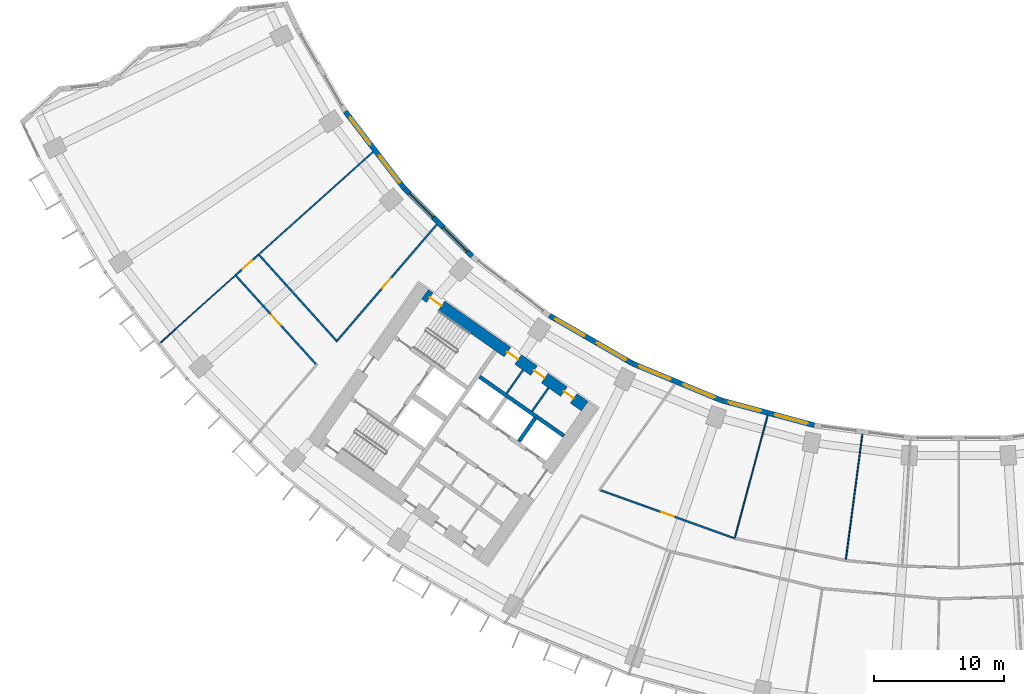
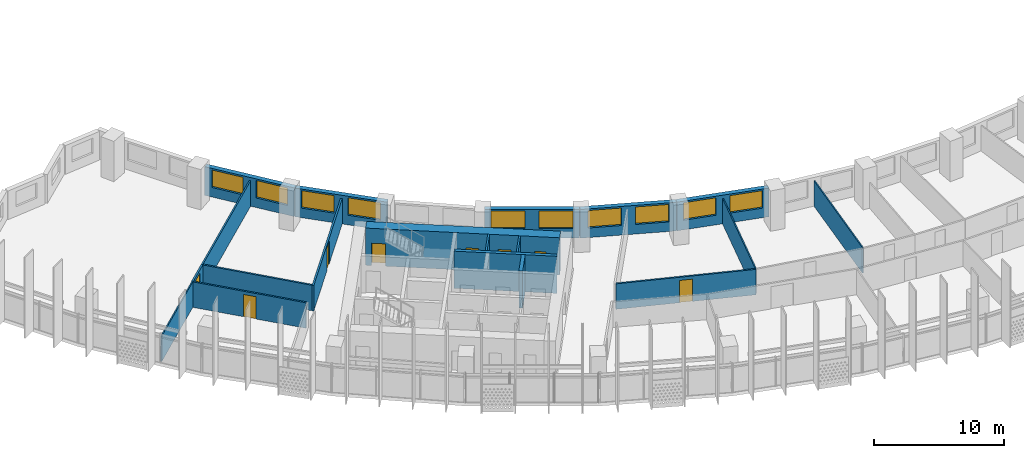
# One storey, part 4 of 30: 19 walls, 10 windows, 8 doors, 18 openings.
"""IFC4 building model written with IfcOpenShell, lengths in metres."""

from ifc_helpers import new_model, si_unit, direction, frame, frame_2d, origin, place, context, subcontext, project, spatial, rectangle, extrude, material, layer, layer_set, type_object, element, fill, save


model = new_model("IFC4")

# Units and contexts
model_context = context("Model", 3, precision=1e-05, world=origin(), true_north=direction((0.0, 1.0)))
body_context = subcontext(model_context, "Body", "Model", "MODEL_VIEW")
ifc_project = project(units=[si_unit("LENGTHUNIT", "METRE"), si_unit("AREAUNIT", "SQUARE_METRE"), si_unit("VOLUMEUNIT", "CUBIC_METRE"), si_unit("PLANEANGLEUNIT", "RADIAN"), si_unit("MASSUNIT", "GRAM", prefix="KILO")], contexts=[model_context])

# Site, building, storey
site_placement = place(None, origin())
site = spatial("IfcSite", under=ifc_project, at=site_placement, CompositionType="ELEMENT")
building_placement = place(site_placement, origin())
building = spatial("IfcBuilding", under=site, at=building_placement, Name="Qamariyya Broadcast Tower", CompositionType="ELEMENT")
storey_placement = place(building_placement, frame((0.0, 0.0, 125.300048828125)))
storey = spatial("IfcBuildingStorey", under=building, at=storey_placement, Name="L28", CompositionType="ELEMENT", Elevation=125.300048828125)

# Wall, openings, doors
ifc_material_1 = material(Name="Concrete C70/85", Category="concrete")
ifc_layer_1 = layer(ifc_material_1, 0.89990234375)
ifc_layer_set_1 = layer_set([ifc_layer_1], Name="Core wall 900 mm Concrete C70/85")
wall_type_1 = type_object("IfcWallType", Name="Core wall 900 mm Concrete C70/85", PredefinedType="SHEAR", material=ifc_layer_set_1)
wall_1_placement = place(storey_placement, frame((-28.8544921875, -54.32421875, 0.0), z_axis=(0.0, 0.0, 1.0), x_axis=(-0.819145767589, 0.573585400304, 0.0)))
wall_1 = element("IfcWall", 1, at=wall_1_placement, inside=storey, type_object=wall_type_1, Name="k-W-L28-WI", PredefinedType="SHEAR", context=body_context, shape_type="SweptSolid", body=[
    extrude(rectangle(XDim=15.04541015625, YDim=0.89990234375, at=frame_2d((7.522705078125, 0.0))), origin(), (0.0, 0.0, 1.0), 3.5),
])
opening_1_placement = place(wall_1_placement, frame((1.050048828125, 0.0, 0.0)))
opening_1 = element("IfcOpeningElement", 2, at=opening_1_placement, cuts=wall_1, Name="Opening KD5-W1", PredefinedType="OPENING", context=body_context, shape_type="SweptSolid", body=[
    extrude(rectangle(XDim=0.89990234375, YDim=2.10009765625, at=frame_2d((0.449951171875, 1.050048828125))), frame((0.0, 0.4599609375, 0.0), z_axis=(0.0, -1.0, 0.0), x_axis=(1.0, 0.0, 0.0)), (0.0, 0.0, 1.0), 0.919921875),
])
opening_2_placement = place(wall_1_placement, frame((3.77490234375, 0.0, 0.0)))
opening_2 = element("IfcOpeningElement", 3, at=opening_2_placement, cuts=wall_1, Name="Opening KD7-W1", PredefinedType="OPENING", context=body_context, shape_type="SweptSolid", body=[
    extrude(rectangle(XDim=1.0, YDim=2.10009765625, at=frame_2d((0.5, 1.050048828125))), frame((0.0, 0.4599609375, 0.0), z_axis=(0.0, -1.0, 0.0), x_axis=(1.0, 0.0, 0.0)), (0.0, 0.0, 1.0), 0.919921875),
])
opening_3_placement = place(wall_1_placement, frame((6.27490234375, 0.0, 0.0)))
opening_3 = element("IfcOpeningElement", 4, at=opening_3_placement, cuts=wall_1, Name="Opening KD6-W4", PredefinedType="OPENING", context=body_context, shape_type="SweptSolid", body=[
    extrude(rectangle(XDim=1.0, YDim=2.10009765625, at=frame_2d((0.5, 1.050048828125))), frame((0.0, 0.4599609375, 0.0), z_axis=(0.0, -1.0, 0.0), x_axis=(1.0, 0.0, 0.0)), (0.0, 0.0, 1.0), 0.919921875),
])
opening_4_placement = place(wall_1_placement, frame((13.495361328125, 0.0, 0.0)))
opening_4 = element("IfcOpeningElement", 5, at=opening_4_placement, cuts=wall_1, Name="Opening KD1-W1", PredefinedType="OPENING", context=body_context, shape_type="SweptSolid", body=[
    extrude(rectangle(XDim=1.10009765625, YDim=2.10009765625, at=frame_2d((0.550048828125, 1.050048828125))), frame((0.0, 0.4599609375, 0.0), z_axis=(0.0, -1.0, 0.0), x_axis=(1.0, 0.0, 0.0)), (0.0, 0.0, 1.0), 0.919921875),
])
ifc_material_2 = material(Name="Steel fire-resisting door leaf", Category="steel")
door_type_1 = type_object("IfcDoorType", Name="Accessible toilet door KD7", OperationType="SINGLE_SWING_LEFT", PredefinedType="DOOR", material=ifc_material_2)
door_1_placement = place(opening_2_placement, origin())
door_1 = element("IfcDoor", 6, at=door_1_placement, inside=storey, type_object=door_type_1, Name="k-W-L28-WI-D9", OperationType="SINGLE_SWING_RIGHT", OverallHeight=2.10009765625, OverallWidth=1.0, PredefinedType="DOOR", context=body_context, shape_type="SweptSolid", body=[
    extrude(rectangle(XDim=1.0, YDim=2.10009765625, at=frame_2d((0.5, 1.050048828125))), frame((0.0, 0.02490234375, 0.0), z_axis=(0.0, -1.0, 0.0), x_axis=(1.0, 0.0, 0.0)), (0.0, 0.0, 1.0), 0.050048828125),
])
fill(opening_2, door_1)
door_type_2 = type_object("IfcDoorType", Name="Core room door KD6", OperationType="SINGLE_SWING_LEFT", PredefinedType="DOOR", material=ifc_material_2)
door_2_placement = place(opening_3_placement, origin())
door_2 = element("IfcDoor", 7, at=door_2_placement, inside=storey, type_object=door_type_2, Name="k-W-L28-WI-D10", OperationType="SINGLE_SWING_LEFT", OverallHeight=2.10009765625, OverallWidth=1.0, PredefinedType="DOOR", context=body_context, shape_type="SweptSolid", body=[
    extrude(rectangle(XDim=1.0, YDim=2.10009765625, at=frame_2d((0.5, 1.050048828125))), frame((0.0, 0.02490234375, 0.0), z_axis=(0.0, -1.0, 0.0), x_axis=(1.0, 0.0, 0.0)), (0.0, 0.0, 1.0), 0.050048828125),
])
fill(opening_3, door_2)
door_type_3 = type_object("IfcDoorType", Name="Stair door KD1", OperationType="SINGLE_SWING_LEFT", PredefinedType="DOOR", material=ifc_material_2)
door_3_placement = place(opening_4_placement, origin())
door_3 = element("IfcDoor", 8, at=door_3_placement, inside=storey, type_object=door_type_3, Name="k-W-L28-WI-D17", OperationType="SINGLE_SWING_RIGHT", OverallHeight=2.10009765625, OverallWidth=1.10009765625, PredefinedType="DOOR", context=body_context, shape_type="SweptSolid", body=[
    extrude(rectangle(XDim=1.10009765625, YDim=2.10009765625, at=frame_2d((0.550048828125, 1.050048828125))), frame((0.0, 0.02490234375, 0.0), z_axis=(0.0, -1.0, 0.0), x_axis=(1.0, 0.0, 0.0)), (0.0, 0.0, 1.0), 0.050048828125),
])
fill(opening_4, door_3)
door_type_4 = type_object("IfcDoorType", Name="Toilet door KD5", OperationType="SINGLE_SWING_LEFT", PredefinedType="DOOR", material=ifc_material_2)
door_4_placement = place(opening_1_placement, origin())
door_4 = element("IfcDoor", 9, at=door_4_placement, inside=storey, type_object=door_type_4, Name="k-W-L28-WI-D8", OperationType="SINGLE_SWING_LEFT", OverallHeight=2.10009765625, OverallWidth=0.89990234375, PredefinedType="DOOR", context=body_context, shape_type="SweptSolid", body=[
    extrude(rectangle(XDim=0.89990234375, YDim=2.10009765625, at=frame_2d((0.449951171875, 1.050048828125))), frame((0.0, 0.02490234375, 0.0), z_axis=(0.0, -1.0, 0.0), x_axis=(1.0, 0.0, 0.0)), (0.0, 0.0, 1.0), 0.050048828125),
])
fill(opening_1, door_4)

# Wall, opening, door
ifc_material_3 = material(Name="Gypsum board partition")
ifc_layer_2 = layer(ifc_material_3, 0.14990234375)
ifc_layer_set_2 = layer_set([ifc_layer_2], Name="Corridor partition 150 EI 60")
wall_type_2 = type_object("IfcWallType", Name="Corridor partition 150 EI 60", PredefinedType="PARTITIONING", material=ifc_layer_set_2)
wall_2_placement = place(storey_placement, frame((-55.7978515625, -44.22705078125, 0.0), z_axis=(0.0, 0.0, 1.0), x_axis=(0.744539856865, 0.667578011576, 0.0)))
wall_2 = element("IfcWall", 10, at=wall_2_placement, inside=storey, type_object=wall_type_2, Name="Partition L28-002", PredefinedType="PARTITIONING", context=body_context, shape_type="SweptSolid", body=[
    extrude(rectangle(XDim=2.404541015625, YDim=0.14990234375, at=frame_2d((1.2021484375, 0.0))), origin(), (0.0, 0.0, 1.0), 2.39990234375),
])
opening_5_placement = place(wall_2_placement, frame((0.702392578125, 0.0, 0.0)))
opening_5 = element("IfcOpeningElement", 11, at=opening_5_placement, cuts=wall_2, Name="Opening L28-D17", PredefinedType="OPENING", context=body_context, shape_type="SweptSolid", body=[
    extrude(rectangle(XDim=1.0, YDim=2.10009765625, at=frame_2d((0.5, 1.050048828125))), frame((0.0, 0.0849609375, 0.0), z_axis=(0.0, -1.0, 0.0), x_axis=(1.0, 0.0, 0.0)), (0.0, 0.0, 1.0), 0.169921875),
])
ifc_material_4 = material(Name="Timber fire door leaf", Category="wood")
door_type_5 = type_object("IfcDoorType", Name="Fire door 1000 x 2100 FD60", OperationType="NOTDEFINED", PredefinedType="DOOR", material=ifc_material_4)
door_5_placement = place(opening_5_placement, origin())
door_5 = element("IfcDoor", 12, at=door_5_placement, inside=storey, type_object=door_type_5, Name="Door L28-D17", OperationType="SINGLE_SWING_RIGHT", OverallHeight=2.10009765625, OverallWidth=1.0, PredefinedType="DOOR", context=body_context, shape_type="SweptSolid", body=[
    extrude(rectangle(XDim=1.0, YDim=2.10009765625, at=frame_2d((0.5, 1.050048828125))), frame((0.0, 0.02490234375, 0.0), z_axis=(0.0, -1.0, 0.0), x_axis=(1.0, 0.0, 0.0)), (0.0, 0.0, 1.0), 0.050048828125),
])
fill(opening_5, door_5)

wall_3_placement = place(storey_placement, frame((-49.597900390625, -51.076171875, 0.0), z_axis=(0.0, 0.0, 1.0), x_axis=(-0.671105149511, 0.741362177549, 0.0)))
wall_3 = element("IfcWall", 13, at=wall_3_placement, inside=storey, type_object=wall_type_2, Name="Partition L28-004", PredefinedType="PARTITIONING", context=body_context, shape_type="SweptSolid", body=[
    extrude(rectangle(XDim=9.16357421875, YDim=0.14990234375, at=frame_2d((4.581787109375, 0.0))), origin(), (0.0, 0.0, 1.0), 2.39990234375),
])
opening_6_placement = place(wall_3_placement, frame((4.081787109375, 0.0, 0.0)))
opening_6 = element("IfcOpeningElement", 14, at=opening_6_placement, cuts=wall_3, Name="Opening L28-D16", PredefinedType="OPENING", context=body_context, shape_type="SweptSolid", body=[
    extrude(rectangle(XDim=1.0, YDim=2.10009765625, at=frame_2d((0.5, 1.050048828125))), frame((0.0, 0.0849609375, 0.0), z_axis=(0.0, -1.0, 0.0), x_axis=(1.0, 0.0, 0.0)), (0.0, 0.0, 1.0), 0.169921875),
])
door_6_placement = place(opening_6_placement, origin())
door_6 = element("IfcDoor", 15, at=door_6_placement, inside=storey, type_object=door_type_5, Name="Door L28-D16", OperationType="SINGLE_SWING_RIGHT", OverallHeight=2.10009765625, OverallWidth=1.0, PredefinedType="DOOR", context=body_context, shape_type="SweptSolid", body=[
    extrude(rectangle(XDim=1.0, YDim=2.10009765625, at=frame_2d((0.5, 1.050048828125))), frame((0.0, 0.02490234375, 0.0), z_axis=(0.0, -1.0, 0.0), x_axis=(1.0, 0.0, 0.0)), (0.0, 0.0, 1.0), 0.050048828125),
])
fill(opening_6, door_6)

# Wall
wall_4_placement = place(storey_placement, frame((-48.032470703125, -49.2509765625, 0.0), z_axis=(0.0, 0.0, 1.0), x_axis=(-0.669505645027, 0.742806967709, 0.0)))
element("IfcWall", 16, at=wall_4_placement, inside=storey, type_object=wall_type_2, Name="Partition L28-006", PredefinedType="PARTITIONING", context=body_context, shape_type="SweptSolid", body=[
    extrude(rectangle(XDim=8.849609375, YDim=0.14990234375, at=frame_2d((4.4248046875, 0.0))), origin(), (0.0, 0.0, 1.0), 2.39990234375),
])

# Wall, opening, door
wall_5_placement = place(storey_placement, frame((-48.031005859375, -49.363525390625, 0.0), z_axis=(0.0, 0.0, 1.0), x_axis=(0.650981860867, 0.759093285982, 0.0)))
wall_5 = element("IfcWall", 17, at=wall_5_placement, inside=storey, type_object=wall_type_2, Name="Partition L28-007", PredefinedType="PARTITIONING", context=body_context, shape_type="SweptSolid", body=[
    extrude(rectangle(XDim=11.92578125, YDim=0.14990234375, at=frame_2d((5.962890625, 0.0))), origin(), (0.0, 0.0, 1.0), 2.39990234375),
])
opening_7_placement = place(wall_5_placement, frame((5.462890625, 0.0, 0.0)))
opening_7 = element("IfcOpeningElement", 18, at=opening_7_placement, cuts=wall_5, Name="Opening L28-D15", PredefinedType="OPENING", context=body_context, shape_type="SweptSolid", body=[
    extrude(rectangle(XDim=1.0, YDim=2.10009765625, at=frame_2d((0.5, 1.050048828125))), frame((0.0, 0.0849609375, 0.0), z_axis=(0.0, -1.0, 0.0), x_axis=(1.0, 0.0, 0.0)), (0.0, 0.0, 1.0), 0.169921875),
])
door_7_placement = place(opening_7_placement, origin())
door_7 = element("IfcDoor", 19, at=door_7_placement, inside=storey, type_object=door_type_5, Name="Door L28-D15", OperationType="SINGLE_SWING_RIGHT", OverallHeight=2.10009765625, OverallWidth=1.0, PredefinedType="DOOR", context=body_context, shape_type="SweptSolid", body=[
    extrude(rectangle(XDim=1.0, YDim=2.10009765625, at=frame_2d((0.5, 1.050048828125))), frame((0.0, 0.02490234375, 0.0), z_axis=(0.0, -1.0, 0.0), x_axis=(1.0, 0.0, 0.0)), (0.0, 0.0, 1.0), 0.050048828125),
])
fill(opening_7, door_7)

wall_6_placement = place(storey_placement, frame((-27.64013671875, -60.806640625, 0.0), z_axis=(0.0, 0.0, 1.0), x_axis=(0.941150861554, -0.337986768669, 0.0)))
wall_6 = element("IfcWall", 20, at=wall_6_placement, inside=storey, type_object=wall_type_2, Name="Partition L28-010", PredefinedType="PARTITIONING", context=body_context, shape_type="SweptSolid", body=[
    extrude(rectangle(XDim=10.998291015625, YDim=0.14990234375, at=frame_2d((5.4990234375, 0.0))), origin(), (0.0, 0.0, 1.0), 2.39990234375),
])
opening_8_placement = place(wall_6_placement, frame((4.9990234375, 0.0, 0.0)))
opening_8 = element("IfcOpeningElement", 21, at=opening_8_placement, cuts=wall_6, Name="Opening L28-D09", PredefinedType="OPENING", context=body_context, shape_type="SweptSolid", body=[
    extrude(rectangle(XDim=1.0, YDim=2.10009765625, at=frame_2d((0.5, 1.050048828125))), frame((0.0, 0.0849609375, 0.0), z_axis=(0.0, -1.0, 0.0), x_axis=(1.0, 0.0, 0.0)), (0.0, 0.0, 1.0), 0.169921875),
])
door_8_placement = place(opening_8_placement, origin())
door_8 = element("IfcDoor", 22, at=door_8_placement, inside=storey, type_object=door_type_5, Name="Door L28-D09", OperationType="SINGLE_SWING_RIGHT", OverallHeight=2.10009765625, OverallWidth=1.0, PredefinedType="DOOR", context=body_context, shape_type="SweptSolid", body=[
    extrude(rectangle(XDim=1.0, YDim=2.10009765625, at=frame_2d((0.5, 1.050048828125))), frame((0.0, 0.02490234375, 0.0), z_axis=(0.0, -1.0, 0.0), x_axis=(1.0, 0.0, 0.0)), (0.0, 0.0, 1.0), 0.050048828125),
])
fill(opening_8, door_8)

# Walls
ifc_material_5 = material(Name="Gypsum board partition on steel studs", Category="steel")
ifc_layer_3 = layer(ifc_material_5, 0.14990234375)
ifc_layer_set_3 = layer_set([ifc_layer_3], Name="Gypsum board partition 150 mm")
wall_type_3 = type_object("IfcWallType", Name="Gypsum board partition 150 mm", PredefinedType="PARTITIONING", material=ifc_layer_set_3)
wall_7_placement = place(storey_placement, frame((-32.9140625, -54.716796875, 0.0), z_axis=(0.0, 0.0, 1.0), x_axis=(0.573581496053, 0.819148501424, 0.0)))
element("IfcWall", 23, at=wall_7_placement, inside=storey, type_object=wall_type_3, Name="k-W-L28-NP310", PredefinedType="PARTITIONING", context=body_context, shape_type="SweptSolid", body=[
    extrude(rectangle(XDim=2.2001953125, YDim=0.14990234375, at=frame_2d((1.10009765625, 0.0))), origin(), (0.0, 0.0, 1.0), 3.5),
])
wall_8_placement = place(storey_placement, frame((-34.8798828125, -53.340087890625, 0.0), z_axis=(0.0, 0.0, 1.0), x_axis=(0.573559170999, 0.819164133348, 0.0)))
element("IfcWall", 24, at=wall_8_placement, inside=storey, type_object=wall_type_3, Name="k-W-L28-NP550", PredefinedType="PARTITIONING", context=body_context, shape_type="SweptSolid", body=[
    extrude(rectangle(XDim=2.19970703125, YDim=0.14990234375, at=frame_2d((1.099853515625, 0.0))), origin(), (0.0, 0.0, 1.0), 3.5),
])
ifc_material_6 = material(Name="Concrete C60/75", Category="concrete")
ifc_layer_4 = layer(ifc_material_6, 0.300048828125)
ifc_layer_set_4 = layer_set([ifc_layer_4], Name="Lift shaft wall 300 mm Concrete C60/75")
wall_type_4 = type_object("IfcWallType", Name="Lift shaft wall 300 mm Concrete C60/75", PredefinedType="SOLIDWALL", material=ifc_layer_set_4)
wall_9_placement = place(storey_placement, frame((-30.460693359375, -56.61767578125, 0.0), z_axis=(0.0, 0.0, 1.0), x_axis=(-0.819142461705, 0.573590121456, 0.0)))
element("IfcWall", 25, at=wall_9_placement, inside=storey, type_object=wall_type_4, Name="k-W-L28-NB0", PredefinedType="SOLIDWALL", context=body_context, shape_type="SweptSolid", body=[
    extrude(rectangle(XDim=7.949951171875, YDim=0.300048828125, at=frame_2d((3.97509765625, 0.0))), origin(), (0.0, 0.0, 1.0), 3.5),
])
wall_10_placement = place(storey_placement, frame((-33.9384765625, -57.051513671875, 0.0), z_axis=(0.0, 0.0, 1.0), x_axis=(0.573581496053, 0.819148501424, 0.0)))
element("IfcWall", 26, at=wall_10_placement, inside=storey, type_object=wall_type_4, Name="k-W-L28-ND0", PredefinedType="SOLIDWALL", context=body_context, shape_type="SweptSolid", body=[
    extrude(rectangle(XDim=2.2001953125, YDim=0.300048828125, at=frame_2d((1.10009765625, 0.0))), origin(), (0.0, 0.0, 1.0), 3.5),
])
ifc_material_7 = material(Name="Operable acoustic wall panels")
ifc_layer_5 = layer(ifc_material_7, 0.125)
ifc_layer_set_5 = layer_set([ifc_layer_5], Name="Operable acoustic partition 125")
wall_type_5 = type_object("IfcWallType", Name="Operable acoustic partition 125", PredefinedType="MOVABLE", material=ifc_layer_set_5)
wall_11_placement = place(storey_placement, frame((-54.007568359375, -42.621826171875, 0.0), z_axis=(0.0, 0.0, 1.0), x_axis=(0.744502704069, 0.667619445219, 0.0)))
element("IfcWall", 27, at=wall_11_placement, inside=storey, type_object=wall_type_5, Name="Operable partition L28-003", PredefinedType="MOVABLE", context=body_context, shape_type="SweptSolid", body=[
    extrude(rectangle(XDim=11.850830078125, YDim=0.125, at=frame_2d((5.92529296875, 0.0))), origin(), (0.0, 0.0, 1.0), 2.39990234375),
])
ifc_layer_6 = layer(ifc_material_3, 0.10009765625)
ifc_layer_set_6 = layer_set([ifc_layer_6], Name="Partition 100")
wall_type_6 = type_object("IfcWallType", Name="Partition 100", PredefinedType="PARTITIONING", material=ifc_layer_set_6)
wall_12_placement = place(storey_placement, frame((-61.576904296875, -49.409423828125, 0.0), z_axis=(0.0, 0.0, 1.0), x_axis=(0.744495585519, 0.667627383457, 0.0)))
element("IfcWall", 28, at=wall_12_placement, inside=storey, type_object=wall_type_6, Name="Partition L28-001", PredefinedType="PARTITIONING", context=body_context, shape_type="SweptSolid", body=[
    extrude(rectangle(XDim=7.762451171875, YDim=0.10009765625, at=frame_2d((3.88134765625, 0.0))), origin(), (0.0, 0.0, 1.0), 2.39990234375),
])
for number, where, z_axis, x_axis, name in (
    (29, (-14.7470703125, -55.037109375, 0.0), (0.0, 0.0, 1.0), (-0.258833329344, -0.965921998725, 0.0), "Partition L28-015"),
    (30, (-7.437255859375, -56.4912109375, 0.0), (0.0, 0.0, 1.0), (-0.13053421433, -0.99144380521, 0.0), "Partition L28-019"),
):
    element("IfcWall", number, at=place(storey_placement, frame(where, z_axis=z_axis, x_axis=x_axis)), inside=storey, type_object=wall_type_6, Name=name, PredefinedType="PARTITIONING", context=body_context, shape_type="SweptSolid", body=[
        extrude(rectangle(XDim=9.746337890625, YDim=0.10009765625, at=frame_2d((4.873046875, 0.0))), origin(), (0.0, 0.0, 1.0), 2.39990234375),
    ])

# Wall, openings, windows
ifc_material_8 = material(Name="Terracotta", Category="masonry")
ifc_layer_7 = layer(ifc_material_8, 0.39990234375)
ifc_layer_set_7 = layer_set([ifc_layer_7], Name="Terracotta clad wall 400")
wall_type_7 = type_object("IfcWallType", Name="Terracotta clad wall 400", PredefinedType="SOLIDWALL", material=ifc_layer_set_7)
wall_13_placement = place(storey_placement, frame((-42.764892578125, -37.536865234375, 0.0), z_axis=(0.0, 0.0, 1.0), x_axis=(-0.608748204711, 0.793363487476, 0.0)))
wall_13 = element("IfcWall", 31, at=wall_13_placement, inside=storey, type_object=wall_type_7, Name="e-wl-L28-in20", PredefinedType="SOLIDWALL", context=body_context, shape_type="SweptSolid", body=[
    extrude(rectangle(XDim=7.492919921875, YDim=0.39990234375, at=frame_2d((3.74658203125, 0.0))), origin(), (0.0, 0.0, 1.0), 2.699951171875),
])
opening_9_placement = place(wall_13_placement, frame((4.300537109375, 0.0, 0.89990234375)))
opening_9 = element("IfcOpeningElement", 32, at=opening_9_placement, cuts=wall_13, Name="Opening W1", PredefinedType="OPENING", context=body_context, shape_type="SweptSolid", body=[
    extrude(rectangle(XDim=2.60009765625, YDim=1.64990234375, at=frame_2d((1.300048828125, 0.824951171875))), frame((0.0, 0.2099609375, 0.0), z_axis=(0.0, -1.0, 0.0), x_axis=(1.0, 0.0, 0.0)), (0.0, 0.0, 1.0), 0.419921875),
])
opening_10_placement = place(wall_13_placement, frame((0.59228515625, 0.0, 0.89990234375)))
opening_10 = element("IfcOpeningElement", 33, at=opening_10_placement, cuts=wall_13, Name="Opening W1", PredefinedType="OPENING", context=body_context, shape_type="SweptSolid", body=[
    extrude(rectangle(XDim=2.60009765625, YDim=1.64990234375, at=frame_2d((1.300048828125, 0.824951171875))), frame((0.0, 0.2099609375, 0.0), z_axis=(0.0, -1.0, 0.0), x_axis=(1.0, 0.0, 0.0)), (0.0, 0.0, 1.0), 0.419921875),
])
ifc_material_9 = material(Name="Clear low-e double glazed unit in aluminium frame", Category="aluminium")
window_type = type_object("IfcWindowType", Name="Ribbon window 2600 x 1650", PartitioningType="SINGLE_PANEL", PredefinedType="WINDOW", material=ifc_material_9)
window_1_placement = place(opening_9_placement, origin())
window_1 = element("IfcWindow", 34, at=window_1_placement, inside=storey, type_object=window_type, Name="e-w-L28-in02-0", OverallHeight=1.64990234375, OverallWidth=2.60009765625, PartitioningType="SINGLE_PANEL", PredefinedType="WINDOW", context=body_context, shape_type="SweptSolid", body=[
    extrude(rectangle(XDim=2.60009765625, YDim=1.64990234375, at=frame_2d((1.300048828125, 0.824951171875))), frame((0.0, 0.030029296875, 0.0), z_axis=(0.0, -1.0, 0.0), x_axis=(1.0, 0.0, 0.0)), (0.0, 0.0, 1.0), 0.06005859375),
])
fill(opening_9, window_1)
window_2_placement = place(opening_10_placement, origin())
window_2 = element("IfcWindow", 35, at=window_2_placement, inside=storey, type_object=window_type, Name="e-w-L28-in02-1", OverallHeight=1.64990234375, OverallWidth=2.60009765625, PartitioningType="SINGLE_PANEL", PredefinedType="WINDOW", context=body_context, shape_type="SweptSolid", body=[
    extrude(rectangle(XDim=2.60009765625, YDim=1.64990234375, at=frame_2d((1.300048828125, 0.824951171875))), frame((0.0, 0.030029296875, 0.0), z_axis=(0.0, -1.0, 0.0), x_axis=(1.0, 0.0, 0.0)), (0.0, 0.0, 1.0), 0.06005859375),
])
fill(opening_10, window_2)

wall_14_placement = place(storey_placement, frame((-37.552978515625, -42.744140625, 0.0), z_axis=(0.0, 0.0, 1.0), x_axis=(-0.707106781187, 0.707106781187, 0.0)))
wall_14 = element("IfcWall", 36, at=wall_14_placement, inside=storey, type_object=wall_type_7, Name="e-wl-L28-in30", PredefinedType="SOLIDWALL", context=body_context, shape_type="SweptSolid", body=[
    extrude(rectangle(XDim=7.34130859375, YDim=0.39990234375, at=frame_2d((3.670654296875, 0.0))), origin(), (0.0, 0.0, 1.0), 2.699951171875),
])
opening_11_placement = place(wall_14_placement, frame((4.224853515625, 0.0, 0.89990234375)))
opening_11 = element("IfcOpeningElement", 37, at=opening_11_placement, cuts=wall_14, Name="Opening W1", PredefinedType="OPENING", context=body_context, shape_type="SweptSolid", body=[
    extrude(rectangle(XDim=2.60009765625, YDim=1.64990234375, at=frame_2d((1.300048828125, 0.824951171875))), frame((0.0, 0.2099609375, 0.0), z_axis=(0.0, -1.0, 0.0), x_axis=(1.0, 0.0, 0.0)), (0.0, 0.0, 1.0), 0.419921875),
])
opening_12_placement = place(wall_14_placement, frame((0.5166015625, 0.0, 0.89990234375)))
opening_12 = element("IfcOpeningElement", 38, at=opening_12_placement, cuts=wall_14, Name="Opening W1", PredefinedType="OPENING", context=body_context, shape_type="SweptSolid", body=[
    extrude(rectangle(XDim=2.60009765625, YDim=1.64990234375, at=frame_2d((1.300048828125, 0.824951171875))), frame((0.0, 0.2099609375, 0.0), z_axis=(0.0, -1.0, 0.0), x_axis=(1.0, 0.0, 0.0)), (0.0, 0.0, 1.0), 0.419921875),
])
window_3_placement = place(opening_11_placement, origin())
window_3 = element("IfcWindow", 39, at=window_3_placement, inside=storey, type_object=window_type, Name="e-w-L28-in03-0", OverallHeight=1.64990234375, OverallWidth=2.60009765625, PartitioningType="SINGLE_PANEL", PredefinedType="WINDOW", context=body_context, shape_type="SweptSolid", body=[
    extrude(rectangle(XDim=2.60009765625, YDim=1.64990234375, at=frame_2d((1.300048828125, 0.824951171875))), frame((0.0, 0.030029296875, 0.0), z_axis=(0.0, -1.0, 0.0), x_axis=(1.0, 0.0, 0.0)), (0.0, 0.0, 1.0), 0.06005859375),
])
fill(opening_11, window_3)
window_4_placement = place(opening_12_placement, origin())
window_4 = element("IfcWindow", 40, at=window_4_placement, inside=storey, type_object=window_type, Name="e-w-L28-in03-1", OverallHeight=1.64990234375, OverallWidth=2.60009765625, PartitioningType="SINGLE_PANEL", PredefinedType="WINDOW", context=body_context, shape_type="SweptSolid", body=[
    extrude(rectangle(XDim=2.60009765625, YDim=1.64990234375, at=frame_2d((1.300048828125, 0.824951171875))), frame((0.0, 0.030029296875, 0.0), z_axis=(0.0, -1.0, 0.0), x_axis=(1.0, 0.0, 0.0)), (0.0, 0.0, 1.0), 0.06005859375),
])
fill(opening_12, window_4)

wall_15_placement = place(storey_placement, frame((-25.21044921875, -51.007080078125, 0.0), z_axis=(0.0, 0.0, 1.0), x_axis=(-0.866030525931, 0.499991128077, 0.0)))
wall_15 = element("IfcWall", 41, at=wall_15_placement, inside=storey, type_object=wall_type_7, Name="e-wl-L28-in50", PredefinedType="SOLIDWALL", context=body_context, shape_type="SweptSolid", body=[
    extrude(rectangle(XDim=7.341552734375, YDim=0.39990234375, at=frame_2d((3.6708984375, 0.0))), origin(), (0.0, 0.0, 1.0), 2.699951171875),
])
opening_13_placement = place(wall_15_placement, frame((4.224853515625, 0.0, 0.89990234375)))
opening_13 = element("IfcOpeningElement", 42, at=opening_13_placement, cuts=wall_15, Name="Opening W1", PredefinedType="OPENING", context=body_context, shape_type="SweptSolid", body=[
    extrude(rectangle(XDim=2.60009765625, YDim=1.64990234375, at=frame_2d((1.300048828125, 0.824951171875))), frame((0.0, 0.2099609375, 0.0), z_axis=(0.0, -1.0, 0.0), x_axis=(1.0, 0.0, 0.0)), (0.0, 0.0, 1.0), 0.419921875),
])
opening_14_placement = place(wall_15_placement, frame((0.5166015625, 0.0, 0.89990234375)))
opening_14 = element("IfcOpeningElement", 43, at=opening_14_placement, cuts=wall_15, Name="Opening W1", PredefinedType="OPENING", context=body_context, shape_type="SweptSolid", body=[
    extrude(rectangle(XDim=2.60009765625, YDim=1.64990234375, at=frame_2d((1.300048828125, 0.824951171875))), frame((0.0, 0.2099609375, 0.0), z_axis=(0.0, -1.0, 0.0), x_axis=(1.0, 0.0, 0.0)), (0.0, 0.0, 1.0), 0.419921875),
])
window_5_placement = place(opening_13_placement, origin())
window_5 = element("IfcWindow", 44, at=window_5_placement, inside=storey, type_object=window_type, Name="e-w-L28-in05-0", OverallHeight=1.64990234375, OverallWidth=2.60009765625, PartitioningType="SINGLE_PANEL", PredefinedType="WINDOW", context=body_context, shape_type="SweptSolid", body=[
    extrude(rectangle(XDim=2.60009765625, YDim=1.64990234375, at=frame_2d((1.300048828125, 0.824951171875))), frame((0.0, 0.030029296875, 0.0), z_axis=(0.0, -1.0, 0.0), x_axis=(1.0, 0.0, 0.0)), (0.0, 0.0, 1.0), 0.06005859375),
])
fill(opening_13, window_5)
window_6_placement = place(opening_14_placement, origin())
window_6 = element("IfcWindow", 45, at=window_6_placement, inside=storey, type_object=window_type, Name="e-w-L28-in05-1", OverallHeight=1.64990234375, OverallWidth=2.60009765625, PartitioningType="SINGLE_PANEL", PredefinedType="WINDOW", context=body_context, shape_type="SweptSolid", body=[
    extrude(rectangle(XDim=2.60009765625, YDim=1.64990234375, at=frame_2d((1.300048828125, 0.824951171875))), frame((0.0, 0.030029296875, 0.0), z_axis=(0.0, -1.0, 0.0), x_axis=(1.0, 0.0, 0.0)), (0.0, 0.0, 1.0), 0.06005859375),
])
fill(opening_14, window_6)

wall_16_placement = place(storey_placement, frame((-18.266845703125, -53.890380859375, 0.0), z_axis=(0.0, 0.0, 1.0), x_axis=(-0.923879826967, 0.382682721486, 0.0)))
wall_16 = element("IfcWall", 46, at=wall_16_placement, inside=storey, type_object=wall_type_7, Name="e-wl-L28-in60", PredefinedType="SOLIDWALL", context=body_context, shape_type="SweptSolid", body=[
    extrude(rectangle(XDim=7.492919921875, YDim=0.39990234375, at=frame_2d((3.74658203125, 0.0))), origin(), (0.0, 0.0, 1.0), 2.699951171875),
])
opening_15_placement = place(wall_16_placement, frame((4.300537109375, 0.0, 0.89990234375)))
opening_15 = element("IfcOpeningElement", 47, at=opening_15_placement, cuts=wall_16, Name="Opening W1", PredefinedType="OPENING", context=body_context, shape_type="SweptSolid", body=[
    extrude(rectangle(XDim=2.60009765625, YDim=1.64990234375, at=frame_2d((1.300048828125, 0.824951171875))), frame((0.0, 0.2099609375, 0.0), z_axis=(0.0, -1.0, 0.0), x_axis=(1.0, 0.0, 0.0)), (0.0, 0.0, 1.0), 0.419921875),
])
opening_16_placement = place(wall_16_placement, frame((0.59228515625, 0.0, 0.89990234375)))
opening_16 = element("IfcOpeningElement", 48, at=opening_16_placement, cuts=wall_16, Name="Opening W1", PredefinedType="OPENING", context=body_context, shape_type="SweptSolid", body=[
    extrude(rectangle(XDim=2.60009765625, YDim=1.64990234375, at=frame_2d((1.300048828125, 0.824951171875))), frame((0.0, 0.2099609375, 0.0), z_axis=(0.0, -1.0, 0.0), x_axis=(1.0, 0.0, 0.0)), (0.0, 0.0, 1.0), 0.419921875),
])
window_7_placement = place(opening_15_placement, origin())
window_7 = element("IfcWindow", 49, at=window_7_placement, inside=storey, type_object=window_type, Name="e-w-L28-in06-0", OverallHeight=1.64990234375, OverallWidth=2.60009765625, PartitioningType="SINGLE_PANEL", PredefinedType="WINDOW", context=body_context, shape_type="SweptSolid", body=[
    extrude(rectangle(XDim=2.60009765625, YDim=1.64990234375, at=frame_2d((1.300048828125, 0.824951171875))), frame((0.0, 0.030029296875, 0.0), z_axis=(0.0, -1.0, 0.0), x_axis=(1.0, 0.0, 0.0)), (0.0, 0.0, 1.0), 0.06005859375),
])
fill(opening_15, window_7)
window_8_placement = place(opening_16_placement, origin())
window_8 = element("IfcWindow", 50, at=window_8_placement, inside=storey, type_object=window_type, Name="e-w-L28-in06-1", OverallHeight=1.64990234375, OverallWidth=2.60009765625, PartitioningType="SINGLE_PANEL", PredefinedType="WINDOW", context=body_context, shape_type="SweptSolid", body=[
    extrude(rectangle(XDim=2.60009765625, YDim=1.64990234375, at=frame_2d((1.300048828125, 0.824951171875))), frame((0.0, 0.030029296875, 0.0), z_axis=(0.0, -1.0, 0.0), x_axis=(1.0, 0.0, 0.0)), (0.0, 0.0, 1.0), 0.06005859375),
])
fill(opening_16, window_8)

wall_17_placement = place(storey_placement, frame((-11.149658203125, -55.7939453125, 0.0), z_axis=(0.0, 0.0, 1.0), x_axis=(-0.965924597867, 0.258823629594, 0.0)))
wall_17 = element("IfcWall", 51, at=wall_17_placement, inside=storey, type_object=wall_type_7, Name="e-wl-L28-in70", PredefinedType="SOLIDWALL", context=body_context, shape_type="SweptSolid", body=[
    extrude(rectangle(XDim=7.341552734375, YDim=0.39990234375, at=frame_2d((3.6708984375, 0.0))), origin(), (0.0, 0.0, 1.0), 2.699951171875),
])
opening_17_placement = place(wall_17_placement, frame((4.224853515625, 0.0, 0.89990234375)))
opening_17 = element("IfcOpeningElement", 52, at=opening_17_placement, cuts=wall_17, Name="Opening W1", PredefinedType="OPENING", context=body_context, shape_type="SweptSolid", body=[
    extrude(rectangle(XDim=2.60009765625, YDim=1.64990234375, at=frame_2d((1.300048828125, 0.824951171875))), frame((0.0, 0.2099609375, 0.0), z_axis=(0.0, -1.0, 0.0), x_axis=(1.0, 0.0, 0.0)), (0.0, 0.0, 1.0), 0.419921875),
])
opening_18_placement = place(wall_17_placement, frame((0.5166015625, 0.0, 0.89990234375)))
opening_18 = element("IfcOpeningElement", 53, at=opening_18_placement, cuts=wall_17, Name="Opening W1", PredefinedType="OPENING", context=body_context, shape_type="SweptSolid", body=[
    extrude(rectangle(XDim=2.60009765625, YDim=1.64990234375, at=frame_2d((1.300048828125, 0.824951171875))), frame((0.0, 0.2099609375, 0.0), z_axis=(0.0, -1.0, 0.0), x_axis=(1.0, 0.0, 0.0)), (0.0, 0.0, 1.0), 0.419921875),
])
window_9_placement = place(opening_17_placement, origin())
window_9 = element("IfcWindow", 54, at=window_9_placement, inside=storey, type_object=window_type, Name="e-w-L28-in07-0", OverallHeight=1.64990234375, OverallWidth=2.60009765625, PartitioningType="SINGLE_PANEL", PredefinedType="WINDOW", context=body_context, shape_type="SweptSolid", body=[
    extrude(rectangle(XDim=2.60009765625, YDim=1.64990234375, at=frame_2d((1.300048828125, 0.824951171875))), frame((0.0, 0.030029296875, 0.0), z_axis=(0.0, -1.0, 0.0), x_axis=(1.0, 0.0, 0.0)), (0.0, 0.0, 1.0), 0.06005859375),
])
fill(opening_17, window_9)
window_10_placement = place(opening_18_placement, origin())
window_10 = element("IfcWindow", 55, at=window_10_placement, inside=storey, type_object=window_type, Name="e-w-L28-in07-1", OverallHeight=1.64990234375, OverallWidth=2.60009765625, PartitioningType="SINGLE_PANEL", PredefinedType="WINDOW", context=body_context, shape_type="SweptSolid", body=[
    extrude(rectangle(XDim=2.60009765625, YDim=1.64990234375, at=frame_2d((1.300048828125, 0.824951171875))), frame((0.0, 0.030029296875, 0.0), z_axis=(0.0, -1.0, 0.0), x_axis=(1.0, 0.0, 0.0)), (0.0, 0.0, 1.0), 0.06005859375),
])
fill(opening_18, window_10)

save(model, "model.ifc")
